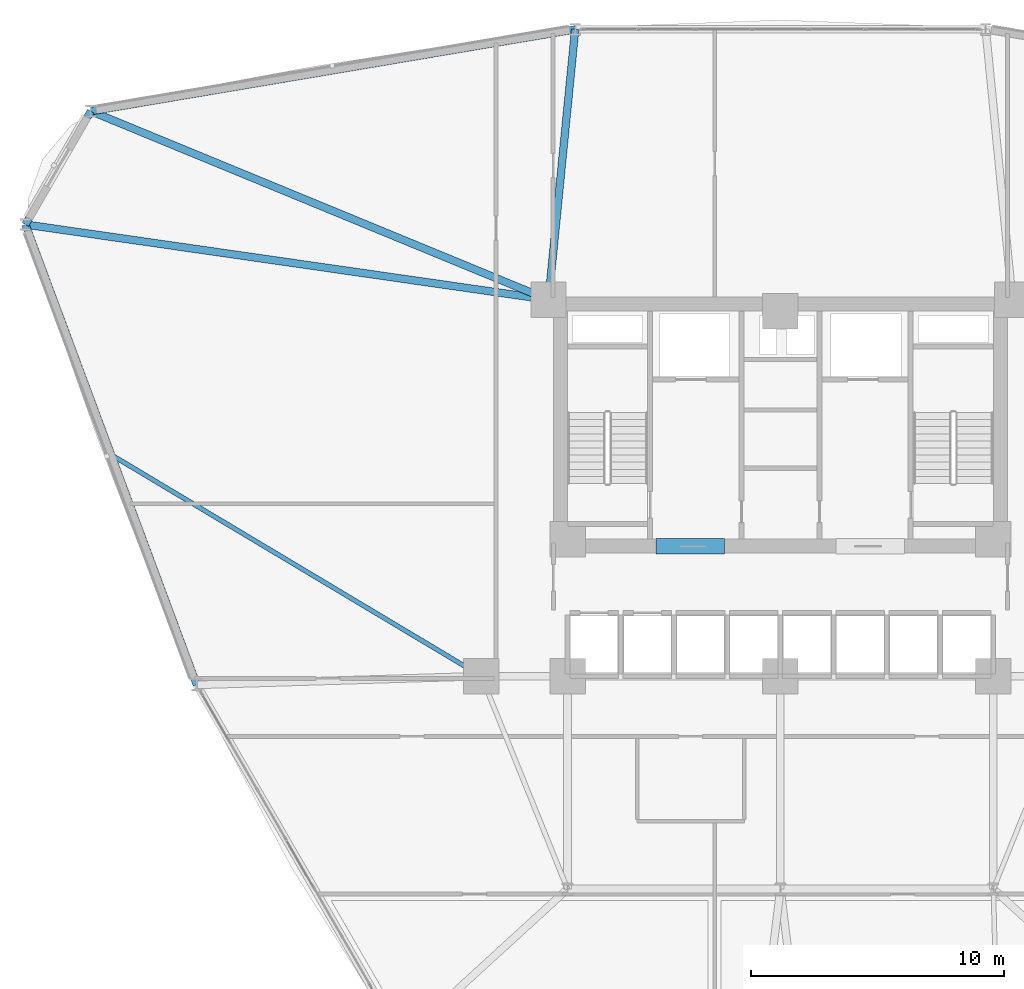
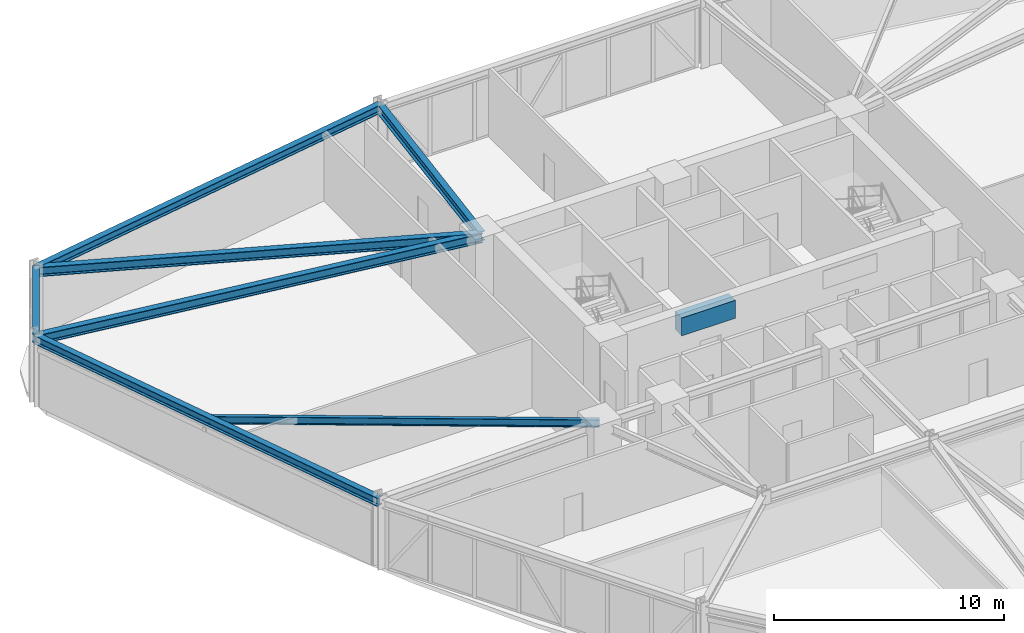
# One storey, part 10 of 23: 8 beams.
"""IFC4 building model written with IfcOpenShell, lengths in metres."""

import ifcopenshell
import ifcopenshell.guid

model = None  # the IFC model being written
_history = None  # IfcOwnerHistory: only IFC2X3 demands one
_inside = {}  # id of a spatial element -> (the spatial element, [elements in it])
_under = {}  # id of a project, library or spatial element -> (it, [spatial elements below it])
_declared = {}  # id of a project -> (the project, [libraries it declares])
_typed = {}  # id of a type object -> (the type object, [elements of that type])
_made_of = {}  # id of a material, layer set ... -> (it, [elements and type objects made of it])


def new_model(schema):
    """Start an empty IFC model of exactly this schema.

    Asked for "IFC4X3", IfcOpenShell would pick the latest addendum, in which some entities
    have other attributes; the version numbers below select the first issue.
    IFC2X3 requires an IfcOwnerHistory on every rooted entity: one is made here for all.
    """
    global model, _history
    if schema == "IFC4X3":
        model = ifcopenshell.file(schema_version=(4, 3, 0, 0))
    else:
        model = ifcopenshell.file(schema=schema)
    _inside.clear()
    _under.clear()
    _declared.clear()
    _typed.clear()
    _made_of.clear()
    _history = None
    if model.schema == "IFC2X3":
        org = make("IfcOrganization", Name="unknown")
        user = make(
            "IfcPersonAndOrganization",
            ThePerson=make("IfcPerson", FamilyName="unknown"),
            TheOrganization=org,
        )
        app = make(
            "IfcApplication",
            ApplicationDeveloper=org,
            Version="unknown",
            ApplicationFullName="unknown",
            ApplicationIdentifier="unknown",
        )
        _history = make(
            "IfcOwnerHistory",
            OwningUser=user,
            OwningApplication=app,
            ChangeAction="ADDED",
            CreationDate=0,
        )
    return model


def make(cls, **values):
    """One entity of the class cls with the attributes given. An attribute that is None is left unset."""
    return model.create_entity(
        cls, **{name: value for name, value in values.items() if value is not None}
    )


def rooted(cls, **values):
    """An entity with a GlobalId (a new one), such as an element, a storey or a relation."""
    return make(cls, GlobalId=ifcopenshell.guid.new(), OwnerHistory=_history, **values)


def si_unit(unit_type, name, prefix=None):
    """IfcSIUnit, for example si_unit("LENGTHUNIT", "METRE", prefix="MILLI")."""
    return make("IfcSIUnit", UnitType=unit_type, Prefix=prefix, Name=name)


def derived_unit(unit_type, elements):
    """IfcDerivedUnit: a product of units, each with its exponent."""
    return make(
        "IfcDerivedUnit",
        Elements=[
            make("IfcDerivedUnitElement", Unit=unit, Exponent=power)
            for unit, power in elements
        ],
        UnitType=unit_type,
    )


def assignment(units):
    """IfcUnitAssignment: the units of a project."""
    return None if units is None else make("IfcUnitAssignment", Units=units)


def point(xyz):
    """IfcCartesianPoint."""
    return None if xyz is None else make("IfcCartesianPoint", Coordinates=xyz)


def direction(xyz):
    """IfcDirection."""
    return None if xyz is None else make("IfcDirection", DirectionRatios=xyz)


def frame(location, z_axis=None, x_axis=None):
    """IfcAxis2Placement3D, a coordinate frame: its origin and axes. An axis left out is left unset."""
    return make(
        "IfcAxis2Placement3D",
        Location=point(location),
        Axis=direction(z_axis),
        RefDirection=direction(x_axis),
    )


def frame_2d(location, x_axis=None):
    """IfcAxis2Placement2D, a coordinate frame in the plane: its origin and x axis."""
    return make(
        "IfcAxis2Placement2D", Location=point(location), RefDirection=direction(x_axis)
    )


def origin():
    """The frame at (0, 0, 0) with its axes left unset."""
    return frame((0.0, 0.0, 0.0))


def origin_2d():
    """The frame at (0, 0) in the plane with its x axis left unset."""
    return frame_2d((0.0, 0.0))


def place(relative_to, where):
    """IfcLocalPlacement: puts the frame where relative to a parent placement (None: the world)."""
    return make(
        "IfcLocalPlacement", PlacementRelTo=relative_to, RelativePlacement=where
    )


def context(
    kind, dimensions, precision=None, world=None, true_north=None, identifier=None
):
    """IfcGeometricRepresentationContext, for example the 3D "Model" context."""
    return make(
        "IfcGeometricRepresentationContext",
        ContextIdentifier=identifier,
        ContextType=kind,
        CoordinateSpaceDimension=dimensions,
        Precision=precision,
        WorldCoordinateSystem=world,
        TrueNorth=true_north,
    )


def subcontext(parent, identifier, kind, view, scale=None):
    """IfcGeometricRepresentationSubContext, for example "Body" below "Model"."""
    return make(
        "IfcGeometricRepresentationSubContext",
        ContextIdentifier=identifier,
        ContextType=kind,
        ParentContext=parent,
        TargetScale=scale,
        TargetView=view,
    )


def project(units=None, contexts=None):
    """IfcProject with its units and contexts."""
    return rooted(
        "IfcProject",
        Name="project",
        RepresentationContexts=contexts,
        UnitsInContext=assignment(units),
    )


def spatial(cls, under=None, at=None, **own):
    """A site, building, storey or space (cls), placed at a placement, below another one or the project."""
    s = rooted(cls, ObjectPlacement=at, **own)
    if under is not None:
        _under.setdefault(under.id(), (under, []))[1].append(s)
    return s


def profile(cls, at=None, kind="AREA", **sizes):
    """A parametric profile (cls). Its sizes go by their IFC names, for example OverallWidth=200.0."""
    return make(cls, ProfileType=kind, Position=at, **sizes)


def rectangle(**sizes):
    """IfcRectangleProfileDef."""
    return profile("IfcRectangleProfileDef", **sizes)


def i_section(**sizes):
    """IfcIShapeProfileDef."""
    return profile("IfcIShapeProfileDef", **sizes)


def extrude(swept, where, along, depth):
    """IfcExtrudedAreaSolid: the profile swept, set in the frame where, extruded along a direction by depth."""
    return make(
        "IfcExtrudedAreaSolid",
        SweptArea=swept,
        Position=where,
        ExtrudedDirection=direction(along),
        Depth=depth,
    )


def shape(context_of_items, identifier, shape_type, items):
    """IfcShapeRepresentation: the items that make up one representation, for example the "Body"."""
    return make(
        "IfcShapeRepresentation",
        ContextOfItems=context_of_items,
        RepresentationIdentifier=identifier,
        RepresentationType=shape_type,
        Items=items,
    )


def source(mapping_origin, context_of_items, identifier, shape_type, items):
    """IfcRepresentationMap: a shape defined once, which mapped items show again and again."""
    return make(
        "IfcRepresentationMap",
        MappingOrigin=mapping_origin,
        MappedRepresentation=shape(context_of_items, identifier, shape_type, items),
    )


def transform(
    local_origin,
    x_axis=None,
    y_axis=None,
    z_axis=None,
    scale=None,
    scale2=None,
    scale3=None,
    uniform=True,
):
    """IfcCartesianTransformationOperator3D, or its non-uniform kind. x_axis, y_axis, z_axis: its Axis1, 2, 3."""
    if uniform:
        return make(
            "IfcCartesianTransformationOperator3D",
            Axis1=direction(x_axis),
            Axis2=direction(y_axis),
            LocalOrigin=point(local_origin),
            Scale=scale,
            Axis3=direction(z_axis),
        )
    return make(
        "IfcCartesianTransformationOperator3DnonUniform",
        Axis1=direction(x_axis),
        Axis2=direction(y_axis),
        LocalOrigin=point(local_origin),
        Scale=scale,
        Axis3=direction(z_axis),
        Scale2=scale2,
        Scale3=scale3,
    )


def mapped(mapping_source, mapping_target):
    """IfcMappedItem: shows the shape of a source again, moved by a transform."""
    return make(
        "IfcMappedItem", MappingSource=mapping_source, MappingTarget=mapping_target
    )


def material(Name=None, Category=None):
    """IfcMaterial."""
    return make("IfcMaterial", Name=Name, Category=Category)


def material_profile(
    of_material, cross_section, Name=None, Category=None, Priority=None
):
    """IfcMaterialProfile: a cross section and its material."""
    return make(
        "IfcMaterialProfile",
        Name=Name,
        Material=of_material,
        Profile=cross_section,
        Priority=Priority,
        Category=Category,
    )


def profile_set(profiles, Name=None, composite=None):
    """IfcMaterialProfileSet."""
    return make(
        "IfcMaterialProfileSet",
        Name=Name,
        MaterialProfiles=profiles,
        CompositeProfile=composite,
    )


def made_of(thing, what):
    """Note that an element or type object is made of a material, layer set ...; save() writes the relation."""
    if what is not None:
        _made_of.setdefault(what.id(), (what, []))[1].append(thing)
    return thing


def type_object(cls, material=None, **own):
    """A type object (cls), such as IfcWallType, which elements share."""
    return made_of(rooted(cls, **own), material)


def element(
    cls,
    number,
    at=None,
    inside=None,
    cuts=None,
    type_object=None,
    material=None,
    context=None,
    identifier="Body",
    shape_type=None,
    held_by="IfcProductDefinitionShape",
    body=None,
    shapes=None,
    **own,
):
    """One element of the class cls, such as IfcWall. Its Tag is "e" and its number.

    at: its placement. inside: the storey or other place that contains it. cuts: it is an
    opening in that element (IfcRelVoidsElement). A single representation is given by context,
    identifier, shape_type and body (its items); several are given by shapes. held_by: the class
    of the entity that holds the representations. save() writes the other relations.
    """
    e = rooted(cls, Tag="e%d" % number, ObjectPlacement=at, **own)
    if body is not None:
        shapes = [shape(context, identifier, shape_type, body)]
    if shapes is not None:
        e.Representation = make(held_by, Representations=shapes)
    if inside is not None:
        _inside.setdefault(inside.id(), (inside, []))[1].append(e)
    if cuts is not None:
        rooted(
            "IfcRelVoidsElement", RelatingBuildingElement=cuts, RelatedOpeningElement=e
        )
    if type_object is not None:
        _typed.setdefault(type_object.id(), (type_object, []))[1].append(e)
    return made_of(e, material)


def aggregate(whole, parts):
    """IfcRelAggregates: a whole, such as a stair, and the parts it consists of."""
    return rooted("IfcRelAggregates", RelatingObject=whole, RelatedObjects=parts)


def save(model, path):
    """Write the relations noted so far, then the file.

    IfcRelAggregates (storeys below a building ...), IfcRelContainedInSpatialStructure (elements
    in a storey), IfcRelDefinesByType, IfcRelAssociatesMaterial and IfcRelDeclares: one each for
    every whole, place, type object, material and project.
    """
    for whole, parts in _under.values():
        aggregate(whole, parts)
    for where, things in _inside.values():
        rooted(
            "IfcRelContainedInSpatialStructure",
            RelatedElements=things,
            RelatingStructure=where,
        )
    for kind, things in _typed.values():
        rooted("IfcRelDefinesByType", RelatedObjects=things, RelatingType=kind)
    for what, things in _made_of.values():
        rooted("IfcRelAssociatesMaterial", RelatedObjects=things, RelatingMaterial=what)
    for by, libraries in _declared.values():
        rooted("IfcRelDeclares", RelatingContext=by, RelatedDefinitions=libraries)
    model.write(path)


model = new_model("IFC4")

# Units and contexts
model_context = context("Model", 3, precision=1e-05, world=origin(), true_north=direction((0.0, 1.0)))
body_context = subcontext(model_context, "Body", "Model", "MODEL_VIEW")
ifc_project = project(units=[si_unit("LENGTHUNIT", "METRE"), si_unit("AREAUNIT", "SQUARE_METRE"), si_unit("VOLUMEUNIT", "CUBIC_METRE"), si_unit("PLANEANGLEUNIT", "RADIAN"), si_unit("MASSUNIT", "GRAM", prefix="KILO"), derived_unit("THERMALTRANSMITTANCEUNIT", [(si_unit("POWERUNIT", "WATT"), 1), (si_unit("LENGTHUNIT", "METRE"), -2), (si_unit("THERMODYNAMICTEMPERATUREUNIT", "KELVIN"), -1)])], contexts=[model_context])

# Site, building, storey
site_placement = place(None, origin())
site = spatial("IfcSite", under=ifc_project, at=site_placement, CompositionType="ELEMENT")
building_placement = place(site_placement, origin())
building = spatial("IfcBuilding", under=site, at=building_placement, Name="Korsvarv Bourse and Concert Hall", CompositionType="ELEMENT")
storey_placement = place(building_placement, frame((0.0, 0.0, 24.0)))
storey = spatial("IfcBuildingStorey", under=building, at=storey_placement, Name="L05", CompositionType="ELEMENT", Elevation=24.0)

# Beams
ifc_material_1 = material(Name="Concrete C55/67", Category="concrete")
ifc_material_profile_1 = material_profile(ifc_material_1, rectangle(XDim=0.60009765625, YDim=0.949951171875, at=origin_2d()), Name="RC-BM 600x950")
ifc_profile_set_1 = profile_set([ifc_material_profile_1], Name="Concrete C55/67")
beam_type_1 = type_object("IfcBeamType", Name="BM-CPL", PredefinedType="LINTEL", material=ifc_profile_set_1)
shared_shape_1 = source(origin(), body_context, "Body", "SweptSolid", [
    extrude(rectangle(XDim=0.60009765625, YDim=0.949951171875, at=origin_2d()), origin(), (0.0, 0.0, 1.0), 2.699951171875),
])
beam_1_placement = place(storey_placement, frame((31.10009765625, 37.52490234375, 3.205078125), z_axis=(1.0, 0.0, 0.0), x_axis=(0.0, 1.0, 0.0)))
element("IfcBeam", 1, at=beam_1_placement, inside=storey, type_object=beam_type_1, Name="L05 Core Coupling Beam West", PredefinedType="LINTEL", context=body_context, shape_type="MappedRepresentation", body=[
    mapped(shared_shape_1, transform((0.0, 0.0, 0.0), scale=1.0)),
])
ifc_material_2 = material(Name="Steel S355", Category="steel")
ifc_material_profile_2 = material_profile(ifc_material_2, i_section(OverallWidth=0.300048828125, OverallDepth=0.449951171875, WebThickness=0.013916015625, FlangeThickness=0.02587890625, FilletRadius=0.02099609375, at=origin_2d()), Name="HEB 450")
ifc_profile_set_2 = profile_set([ifc_material_profile_2], Name="Steel S355")
beam_type_2 = type_object("IfcBeamType", Name="BM-HEB450", PredefinedType="SPANDREL", material=ifc_profile_set_2)
shared_shape_2 = source(origin(), body_context, "Body", "SweptSolid", [
    extrude(i_section(OverallWidth=0.300048828125, OverallDepth=0.449951171875, WebThickness=0.013916015625, FlangeThickness=0.02587890625, FilletRadius=0.02099609375, at=origin_2d()), origin(), (0.0, 0.0, 1.0), 5.16357421875),
])
beam_2_placement = place(storey_placement, frame((8.793212890625, 54.689208984375, 3.455078125), z_axis=(-0.499988479627, -0.866032054973, 0.0), x_axis=(0.866032054973, -0.499988479627, 0.0)))
element("IfcBeam", 2, at=beam_2_placement, inside=storey, type_object=beam_type_2, Name="L05 beam B-08", PredefinedType="SPANDREL", context=body_context, shape_type="MappedRepresentation", body=[
    mapped(shared_shape_2, transform((0.0, 0.0, 0.0), scale=1.0)),
])
shared_shape_3 = source(origin(), body_context, "Body", "SweptSolid", [
    extrude(i_section(OverallWidth=0.300048828125, OverallDepth=0.449951171875, WebThickness=0.013916015625, FlangeThickness=0.02587890625, FilletRadius=0.02099609375, at=origin_2d()), origin(), (0.0, 0.0, 1.0), 19.380126953125),
])
beam_3_placement = place(storey_placement, frame((27.902587890625, 57.9169921875, 3.455078125), z_axis=(-0.986032714871, -0.166551749327, 0.0), x_axis=(0.166551749327, -0.986032714871, 0.0)))
element("IfcBeam", 3, at=beam_3_placement, inside=storey, type_object=beam_type_2, Name="L05 beam B-08", PredefinedType="SPANDREL", context=body_context, shape_type="MappedRepresentation", body=[
    mapped(shared_shape_3, transform((0.0, 0.0, 0.0), scale=1.0)),
])
shared_shape_4 = source(origin(), body_context, "Body", "SweptSolid", [
    extrude(i_section(OverallWidth=0.300048828125, OverallDepth=0.449951171875, WebThickness=0.013916015625, FlangeThickness=0.02587890625, FilletRadius=0.02099609375, at=origin_2d()), origin(), (0.0, 0.0, 1.0), 19.3798828125),
])
beam_4_placement = place(storey_placement, frame((6.21142578125, 50.21728515625, 3.455078125), z_axis=(0.348764335055, -0.937210455871, 0.0), x_axis=(0.937210455871, 0.348764335055, 0.0)))
element("IfcBeam", 4, at=beam_4_placement, inside=storey, type_object=beam_type_2, Name="L05 beam B-08", PredefinedType="SPANDREL", context=body_context, shape_type="MappedRepresentation", body=[
    mapped(shared_shape_4, transform((0.0, 0.0, 0.0), scale=1.0)),
])
ifc_material_profile_3 = material_profile(ifc_material_2, i_section(OverallWidth=0.300048828125, OverallDepth=0.5, WebThickness=0.014404296875, FlangeThickness=0.028076171875, FilletRadius=0.02392578125, at=origin_2d()), Name="HEB 500")
ifc_profile_set_3 = profile_set([ifc_material_profile_3], Name="Steel S355")
beam_type_3 = type_object("IfcBeamType", Name="BM-HEB500", PredefinedType="BEAM", material=ifc_profile_set_3)
shared_shape_5 = source(origin(), body_context, "Body", "SweptSolid", [
    extrude(i_section(OverallWidth=0.300048828125, OverallDepth=0.5, WebThickness=0.014404296875, FlangeThickness=0.028076171875, FilletRadius=0.02392578125, at=origin_2d()), origin(), (0.0, 0.0, 1.0), 20.850830078125),
])
beam_5_placement = place(storey_placement, frame((6.21142578125, 50.21728515625, 3.429931640625), z_axis=(0.989822170668, -0.142309769356, 0.0), x_axis=(0.142309769356, 0.989822170668, 0.0)))
element("IfcBeam", 5, at=beam_5_placement, inside=storey, type_object=beam_type_3, Name="L05 beam B-07", PredefinedType="BEAM", context=body_context, shape_type="MappedRepresentation", body=[
    mapped(shared_shape_5, transform((0.0, 0.0, 0.0), scale=1.0)),
])
shared_shape_6 = source(origin(), body_context, "Body", "SweptSolid", [
    extrude(i_section(OverallWidth=0.300048828125, OverallDepth=0.5, WebThickness=0.014404296875, FlangeThickness=0.028076171875, FilletRadius=0.02392578125, at=origin_2d()), origin(), (0.0, 0.0, 1.0), 19.529296875),
])
beam_6_placement = place(storey_placement, frame((8.793212890625, 54.689208984375, 3.429931640625), z_axis=(0.924605589209, -0.380925851581, 0.0), x_axis=(0.380925851581, 0.924605589209, 0.0)))
element("IfcBeam", 6, at=beam_6_placement, inside=storey, type_object=beam_type_3, Name="L05 beam B-07", PredefinedType="BEAM", context=body_context, shape_type="MappedRepresentation", body=[
    mapped(shared_shape_6, transform((0.0, 0.0, 0.0), scale=1.0)),
])
shared_shape_7 = source(origin(), body_context, "Body", "SweptSolid", [
    extrude(i_section(OverallWidth=0.300048828125, OverallDepth=0.5, WebThickness=0.014404296875, FlangeThickness=0.028076171875, FilletRadius=0.02392578125, at=origin_2d()), origin(), (0.0, 0.0, 1.0), 10.71875),
])
beam_7_placement = place(storey_placement, frame((27.902587890625, 57.9169921875, 3.429931640625), z_axis=(-0.098191142764, -0.995167573569, 0.0), x_axis=(0.995167573569, -0.098191142764, 0.0)))
element("IfcBeam", 7, at=beam_7_placement, inside=storey, type_object=beam_type_3, Name="L05 beam B-07", PredefinedType="BEAM", context=body_context, shape_type="MappedRepresentation", body=[
    mapped(shared_shape_7, transform((0.0, 0.0, 0.0), scale=1.0)),
])
ifc_material_profile_4 = material_profile(ifc_material_2, i_section(OverallWidth=0.179931640625, OverallDepth=0.39990234375, WebThickness=0.008544921875, FlangeThickness=0.013427734375, FilletRadius=0.02099609375, at=origin_2d()), Name="IPE 400")
ifc_profile_set_4 = profile_set([ifc_material_profile_4], Name="Steel S355")
beam_type_4 = type_object("IfcBeamType", Name="BM-IPE400", PredefinedType="JOIST", material=ifc_profile_set_4)
shared_shape_8 = source(origin(), body_context, "Body", "SweptSolid", [
    extrude(i_section(OverallWidth=0.179931640625, OverallDepth=0.39990234375, WebThickness=0.008544921875, FlangeThickness=0.013427734375, FilletRadius=0.02099609375, at=origin_2d()), origin(), (0.0, 0.0, 1.0), 17.021728515625),
])
beam_8_placement = place(storey_placement, frame((9.5908203125, 41.135498046875, 3.47998046875), z_axis=(0.858266472199, -0.513204308925, 0.0), x_axis=(0.513204308925, 0.858266472199, 0.0)))
element("IfcBeam", 8, at=beam_8_placement, inside=storey, type_object=beam_type_4, Name="L05 beam J-05", PredefinedType="JOIST", context=body_context, shape_type="MappedRepresentation", body=[
    mapped(shared_shape_8, transform((0.0, 0.0, 0.0), scale=1.0)),
])

save(model, "model.ifc")
